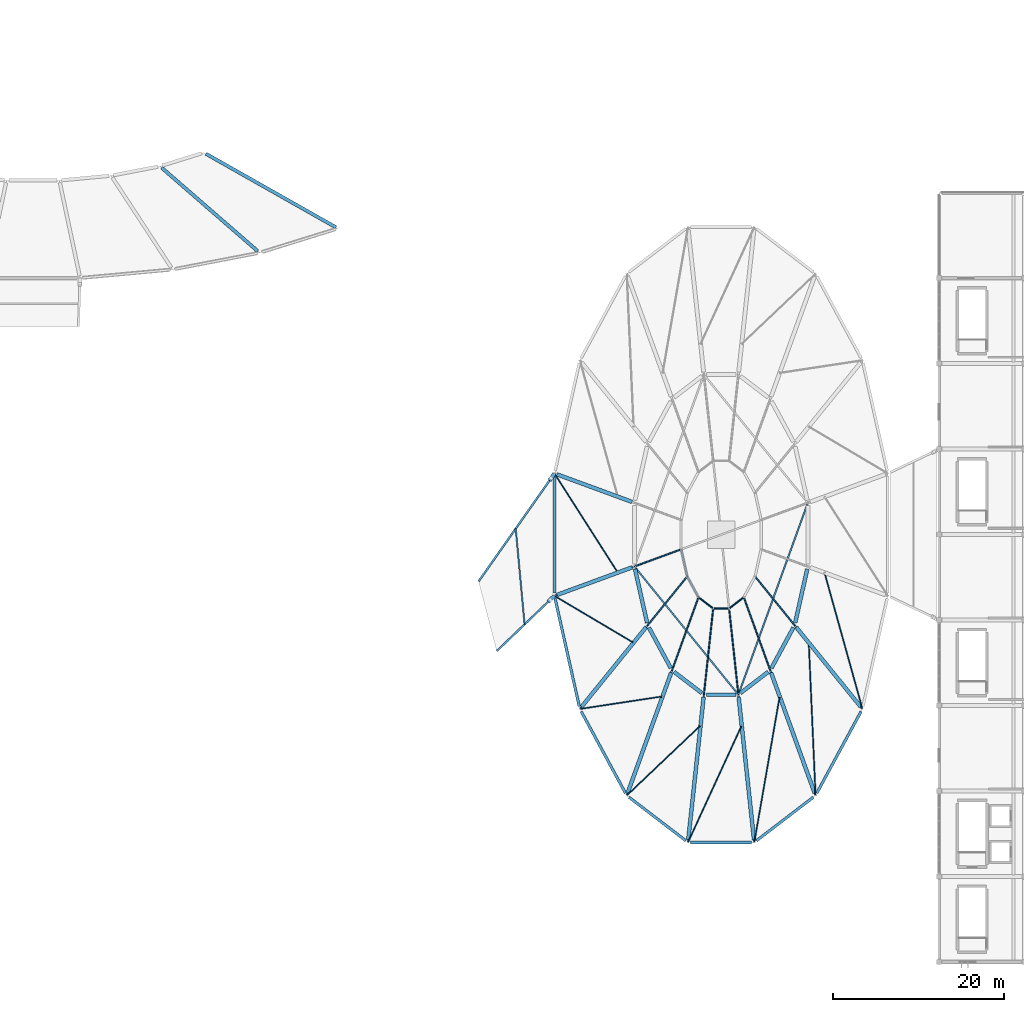
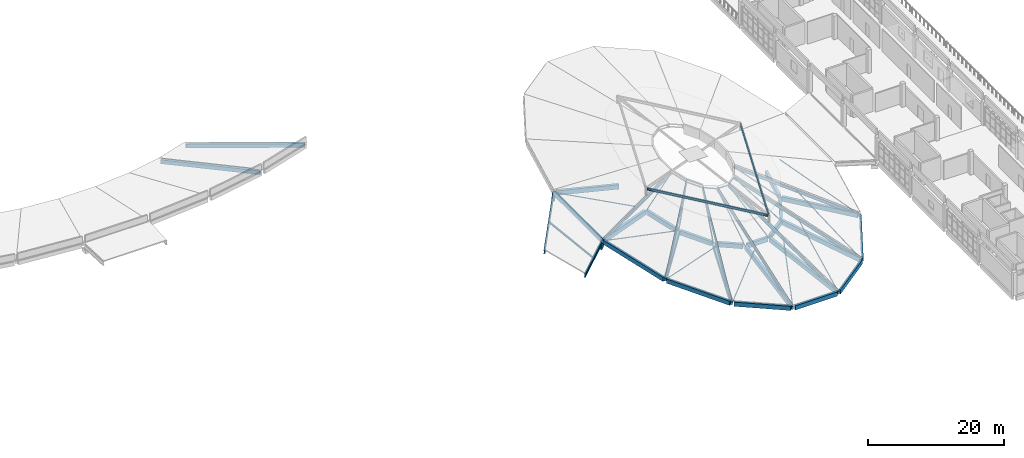
# One storey, part 6 of 39: 31 beams, 27 members.
"""IFC4 building model written with IfcOpenShell, lengths in metres."""

import ifcopenshell
import ifcopenshell.guid

model = None  # the IFC model being written
_history = None  # IfcOwnerHistory: only IFC2X3 demands one
_inside = {}  # id of a spatial element -> (the spatial element, [elements in it])
_under = {}  # id of a project, library or spatial element -> (it, [spatial elements below it])
_declared = {}  # id of a project -> (the project, [libraries it declares])
_typed = {}  # id of a type object -> (the type object, [elements of that type])
_made_of = {}  # id of a material, layer set ... -> (it, [elements and type objects made of it])


def new_model(schema):
    """Start an empty IFC model of exactly this schema.

    Asked for "IFC4X3", IfcOpenShell would pick the latest addendum, in which some entities
    have other attributes; the version numbers below select the first issue.
    IFC2X3 requires an IfcOwnerHistory on every rooted entity: one is made here for all.
    """
    global model, _history
    if schema == "IFC4X3":
        model = ifcopenshell.file(schema_version=(4, 3, 0, 0))
    else:
        model = ifcopenshell.file(schema=schema)
    _inside.clear()
    _under.clear()
    _declared.clear()
    _typed.clear()
    _made_of.clear()
    _history = None
    if model.schema == "IFC2X3":
        org = make("IfcOrganization", Name="unknown")
        user = make(
            "IfcPersonAndOrganization",
            ThePerson=make("IfcPerson", FamilyName="unknown"),
            TheOrganization=org,
        )
        app = make(
            "IfcApplication",
            ApplicationDeveloper=org,
            Version="unknown",
            ApplicationFullName="unknown",
            ApplicationIdentifier="unknown",
        )
        _history = make(
            "IfcOwnerHistory",
            OwningUser=user,
            OwningApplication=app,
            ChangeAction="ADDED",
            CreationDate=0,
        )
    return model


def make(cls, **values):
    """One entity of the class cls with the attributes given. An attribute that is None is left unset."""
    return model.create_entity(
        cls, **{name: value for name, value in values.items() if value is not None}
    )


def rooted(cls, **values):
    """An entity with a GlobalId (a new one), such as an element, a storey or a relation."""
    return make(cls, GlobalId=ifcopenshell.guid.new(), OwnerHistory=_history, **values)


def si_unit(unit_type, name, prefix=None):
    """IfcSIUnit, for example si_unit("LENGTHUNIT", "METRE", prefix="MILLI")."""
    return make("IfcSIUnit", UnitType=unit_type, Prefix=prefix, Name=name)


def assignment(units):
    """IfcUnitAssignment: the units of a project."""
    return None if units is None else make("IfcUnitAssignment", Units=units)


def point(xyz):
    """IfcCartesianPoint."""
    return None if xyz is None else make("IfcCartesianPoint", Coordinates=xyz)


def direction(xyz):
    """IfcDirection."""
    return None if xyz is None else make("IfcDirection", DirectionRatios=xyz)


def frame(location, z_axis=None, x_axis=None):
    """IfcAxis2Placement3D, a coordinate frame: its origin and axes. An axis left out is left unset."""
    return make(
        "IfcAxis2Placement3D",
        Location=point(location),
        Axis=direction(z_axis),
        RefDirection=direction(x_axis),
    )


def frame_2d(location, x_axis=None):
    """IfcAxis2Placement2D, a coordinate frame in the plane: its origin and x axis."""
    return make(
        "IfcAxis2Placement2D", Location=point(location), RefDirection=direction(x_axis)
    )


def origin():
    """The frame at (0, 0, 0) with its axes left unset."""
    return frame((0.0, 0.0, 0.0))


def origin_2d():
    """The frame at (0, 0) in the plane with its x axis left unset."""
    return frame_2d((0.0, 0.0))


def place(relative_to, where):
    """IfcLocalPlacement: puts the frame where relative to a parent placement (None: the world)."""
    return make(
        "IfcLocalPlacement", PlacementRelTo=relative_to, RelativePlacement=where
    )


def context(
    kind, dimensions, precision=None, world=None, true_north=None, identifier=None
):
    """IfcGeometricRepresentationContext, for example the 3D "Model" context."""
    return make(
        "IfcGeometricRepresentationContext",
        ContextIdentifier=identifier,
        ContextType=kind,
        CoordinateSpaceDimension=dimensions,
        Precision=precision,
        WorldCoordinateSystem=world,
        TrueNorth=true_north,
    )


def subcontext(parent, identifier, kind, view, scale=None):
    """IfcGeometricRepresentationSubContext, for example "Body" below "Model"."""
    return make(
        "IfcGeometricRepresentationSubContext",
        ContextIdentifier=identifier,
        ContextType=kind,
        ParentContext=parent,
        TargetScale=scale,
        TargetView=view,
    )


def project(units=None, contexts=None):
    """IfcProject with its units and contexts."""
    return rooted(
        "IfcProject",
        Name="project",
        RepresentationContexts=contexts,
        UnitsInContext=assignment(units),
    )


def spatial(cls, under=None, at=None, **own):
    """A site, building, storey or space (cls), placed at a placement, below another one or the project."""
    s = rooted(cls, ObjectPlacement=at, **own)
    if under is not None:
        _under.setdefault(under.id(), (under, []))[1].append(s)
    return s


def profile(cls, at=None, kind="AREA", **sizes):
    """A parametric profile (cls). Its sizes go by their IFC names, for example OverallWidth=200.0."""
    return make(cls, ProfileType=kind, Position=at, **sizes)


def rectangle(**sizes):
    """IfcRectangleProfileDef."""
    return profile("IfcRectangleProfileDef", **sizes)


def hollow_rectangle(**sizes):
    """IfcRectangleHollowProfileDef."""
    return profile("IfcRectangleHollowProfileDef", **sizes)


def hollow_circle(**sizes):
    """IfcCircleHollowProfileDef."""
    return profile("IfcCircleHollowProfileDef", **sizes)


def i_section(**sizes):
    """IfcIShapeProfileDef."""
    return profile("IfcIShapeProfileDef", **sizes)


def extrude(swept, where, along, depth):
    """IfcExtrudedAreaSolid: the profile swept, set in the frame where, extruded along a direction by depth."""
    return make(
        "IfcExtrudedAreaSolid",
        SweptArea=swept,
        Position=where,
        ExtrudedDirection=direction(along),
        Depth=depth,
    )


def shape(context_of_items, identifier, shape_type, items):
    """IfcShapeRepresentation: the items that make up one representation, for example the "Body"."""
    return make(
        "IfcShapeRepresentation",
        ContextOfItems=context_of_items,
        RepresentationIdentifier=identifier,
        RepresentationType=shape_type,
        Items=items,
    )


def material(Name=None, Category=None):
    """IfcMaterial."""
    return make("IfcMaterial", Name=Name, Category=Category)


def material_profile(
    of_material, cross_section, Name=None, Category=None, Priority=None
):
    """IfcMaterialProfile: a cross section and its material."""
    return make(
        "IfcMaterialProfile",
        Name=Name,
        Material=of_material,
        Profile=cross_section,
        Priority=Priority,
        Category=Category,
    )


def profile_set(profiles, Name=None, composite=None):
    """IfcMaterialProfileSet."""
    return make(
        "IfcMaterialProfileSet",
        Name=Name,
        MaterialProfiles=profiles,
        CompositeProfile=composite,
    )


def made_of(thing, what):
    """Note that an element or type object is made of a material, layer set ...; save() writes the relation."""
    if what is not None:
        _made_of.setdefault(what.id(), (what, []))[1].append(thing)
    return thing


def type_object(cls, material=None, **own):
    """A type object (cls), such as IfcWallType, which elements share."""
    return made_of(rooted(cls, **own), material)


def element(
    cls,
    number,
    at=None,
    inside=None,
    cuts=None,
    type_object=None,
    material=None,
    context=None,
    identifier="Body",
    shape_type=None,
    held_by="IfcProductDefinitionShape",
    body=None,
    shapes=None,
    **own,
):
    """One element of the class cls, such as IfcWall. Its Tag is "e" and its number.

    at: its placement. inside: the storey or other place that contains it. cuts: it is an
    opening in that element (IfcRelVoidsElement). A single representation is given by context,
    identifier, shape_type and body (its items); several are given by shapes. held_by: the class
    of the entity that holds the representations. save() writes the other relations.
    """
    e = rooted(cls, Tag="e%d" % number, ObjectPlacement=at, **own)
    if body is not None:
        shapes = [shape(context, identifier, shape_type, body)]
    if shapes is not None:
        e.Representation = make(held_by, Representations=shapes)
    if inside is not None:
        _inside.setdefault(inside.id(), (inside, []))[1].append(e)
    if cuts is not None:
        rooted(
            "IfcRelVoidsElement", RelatingBuildingElement=cuts, RelatedOpeningElement=e
        )
    if type_object is not None:
        _typed.setdefault(type_object.id(), (type_object, []))[1].append(e)
    return made_of(e, material)


def aggregate(whole, parts):
    """IfcRelAggregates: a whole, such as a stair, and the parts it consists of."""
    return rooted("IfcRelAggregates", RelatingObject=whole, RelatedObjects=parts)


def save(model, path):
    """Write the relations noted so far, then the file.

    IfcRelAggregates (storeys below a building ...), IfcRelContainedInSpatialStructure (elements
    in a storey), IfcRelDefinesByType, IfcRelAssociatesMaterial and IfcRelDeclares: one each for
    every whole, place, type object, material and project.
    """
    for whole, parts in _under.values():
        aggregate(whole, parts)
    for where, things in _inside.values():
        rooted(
            "IfcRelContainedInSpatialStructure",
            RelatedElements=things,
            RelatingStructure=where,
        )
    for kind, things in _typed.values():
        rooted("IfcRelDefinesByType", RelatedObjects=things, RelatingType=kind)
    for what, things in _made_of.values():
        rooted("IfcRelAssociatesMaterial", RelatedObjects=things, RelatingMaterial=what)
    for by, libraries in _declared.values():
        rooted("IfcRelDeclares", RelatingContext=by, RelatedDefinitions=libraries)
    model.write(path)


model = new_model("IFC4")

# Units and contexts
model_context = context("Model", 3, precision=1e-05, world=origin(), true_north=direction((0.0, 1.0)))
body_context = subcontext(model_context, "Body", "Model", "MODEL_VIEW")
ifc_project = project(units=[si_unit("LENGTHUNIT", "METRE"), si_unit("AREAUNIT", "SQUARE_METRE"), si_unit("VOLUMEUNIT", "CUBIC_METRE"), si_unit("PLANEANGLEUNIT", "RADIAN"), si_unit("MASSUNIT", "GRAM", prefix="KILO")], contexts=[model_context])

# Site, building, storey
site_placement = place(None, origin())
site = spatial("IfcSite", under=ifc_project, at=site_placement, CompositionType="ELEMENT")
building_placement = place(site_placement, origin())
building = spatial("IfcBuilding", under=site, at=building_placement, Name="Corvandel Quay Wholesale Market", CompositionType="ELEMENT")
storey_placement = place(building_placement, frame((0.0, 0.0, 15.0)))
storey = spatial("IfcBuildingStorey", under=building, at=storey_placement, Name="L03", CompositionType="ELEMENT", Elevation=15.0)

# Members
ifc_material_1 = material(Name="Steel A992 Grade 50", Category="steel")
ifc_material_profile_1 = material_profile(ifc_material_1, i_section(OverallWidth=0.2099609375, OverallDepth=0.537109375, WebThickness=0.010986328125, FlangeThickness=0.017333984375, at=origin_2d()), Name="W21X68")
ifc_profile_set_1 = profile_set([ifc_material_profile_1], Name="Steel A992 Grade 50")
member_type_1 = type_object("IfcMemberType", Name="Auction Lantern Primary Rafter RF01 W21X68", PredefinedType="RAFTER", material=ifc_profile_set_1)
member_1_placement = place(storey_placement, frame((175.0, 52.839111328125, -0.56005859375), z_axis=(0.913434531927, 0.335411029383, 0.230514201845), x_axis=(-0.344693996876, 0.938715105086, 0.0)))
element("IfcMember", 1, at=member_1_placement, inside=storey, type_object=member_type_1, Name="Member MEM-0078", PredefinedType="RAFTER", context=body_context, shape_type="SweptSolid", body=[
    extrude(i_section(OverallWidth=0.2099609375, OverallDepth=0.537109375, WebThickness=0.010986328125, FlangeThickness=0.017333984375, at=origin_2d()), origin(), (0.0, 0.0, 1.0), 16.224609375),
])
member_2_placement = place(storey_placement, frame((177.968994140625, 39.60791015625, -0.56005859375), z_axis=(0.618929758532, 0.763528723844, 0.184254828616), x_axis=(-0.776829200106, 0.629711357578, 0.0)))
element("IfcMember", 2, at=member_2_placement, inside=storey, type_object=member_type_1, Name="Member MEM-0082", PredefinedType="RAFTER", context=body_context, shape_type="SweptSolid", body=[
    extrude(i_section(OverallWidth=0.2099609375, OverallDepth=0.537109375, WebThickness=0.010986328125, FlangeThickness=0.017333984375, at=origin_2d()), origin(), (0.0, 0.0, 1.0), 20.2978515625),
])
member_3_placement = place(storey_placement, frame((183.4541015625, 29.48095703125, -0.56005859375), z_axis=(0.336493385237, 0.929677225546, 0.149908165196), x_axis=(-0.940302716618, 0.340339244167, 0.0)))
element("IfcMember", 3, at=member_3_placement, inside=storey, type_object=member_type_1, Name="Member MEM-0086", PredefinedType="RAFTER", context=body_context, shape_type="SweptSolid", body=[
    extrude(i_section(OverallWidth=0.2099609375, OverallDepth=0.537109375, WebThickness=0.010986328125, FlangeThickness=0.017333984375, at=origin_2d()), origin(), (0.0, 0.0, 1.0), 24.948486328125),
])
for number, where, z_axis, x_axis, name in (
    (4, (190.62109375, 24.0, -0.56005859375), (0.106152093076, 0.985188125442, 0.134670303422), (-0.994245239382, 0.107127979383, 0.0), "Member MEM-0090"),
    (5, (198.37890625, 24.0, -0.56005859375), (-0.106152093076, 0.985188125442, 0.134670303422), (-0.994245239382, -0.107127979383, 0.0), "Member MEM-0094"),
):
    element("IfcMember", number, at=place(storey_placement, frame(where, z_axis=z_axis, x_axis=x_axis)), inside=storey, type_object=member_type_1, Name=name, PredefinedType="RAFTER", context=body_context, shape_type="SweptSolid", body=[
        extrude(i_section(OverallWidth=0.2099609375, OverallDepth=0.537109375, WebThickness=0.010986328125, FlangeThickness=0.017333984375, at=origin_2d()), origin(), (0.0, 0.0, 1.0), 27.771484375),
    ])
member_4_placement = place(storey_placement, frame((205.5458984375, 29.48095703125, -0.56005859375), z_axis=(-0.336493385237, 0.929677225546, 0.149908165196), x_axis=(-0.940302716618, -0.340339244167, 0.0)))
element("IfcMember", 6, at=member_4_placement, inside=storey, type_object=member_type_1, Name="Member MEM-0098", PredefinedType="RAFTER", context=body_context, shape_type="SweptSolid", body=[
    extrude(i_section(OverallWidth=0.2099609375, OverallDepth=0.537109375, WebThickness=0.010986328125, FlangeThickness=0.017333984375, at=origin_2d()), origin(), (0.0, 0.0, 1.0), 24.948486328125),
])
member_5_placement = place(storey_placement, frame((211.031005859375, 39.60791015625, -0.56005859375), z_axis=(-0.618929758532, 0.763528723844, 0.184254828616), x_axis=(-0.776829200106, -0.629711357578, 0.0)))
element("IfcMember", 7, at=member_5_placement, inside=storey, type_object=member_type_1, Name="Member MEM-0102", PredefinedType="RAFTER", context=body_context, shape_type="SweptSolid", body=[
    extrude(i_section(OverallWidth=0.2099609375, OverallDepth=0.537109375, WebThickness=0.010986328125, FlangeThickness=0.017333984375, at=origin_2d()), origin(), (0.0, 0.0, 1.0), 20.2978515625),
])

# Beams
ifc_material_2 = material(Name="Precast concrete C45/55", Category="concrete")
ifc_material_profile_2 = material_profile(ifc_material_2, rectangle(XDim=0.449951171875, YDim=0.800048828125, at=origin_2d()), Name="PC-GIR-450x800")
ifc_profile_set_2 = profile_set([ifc_material_profile_2], Name="Precast concrete C45/55")
beam_type_1 = type_object("IfcBeamType", Name="Auction Pavilion Girder G05 450x800", PredefinedType="USERDEFINED", material=ifc_profile_set_2)
beam_1_placement = place(storey_placement, frame((175.30029296875, 67.05078125, -0.60009765625), z_axis=(0.938711465008, -0.344703909845, 0.0), x_axis=(0.344703909845, 0.938711465008, 0.0)))
element("IfcBeam", 8, at=beam_1_placement, inside=storey, type_object=beam_type_1, Name="Beam BM-0850", ObjectType="GIRDER", PredefinedType="USERDEFINED", context=body_context, shape_type="SweptSolid", body=[
    extrude(rectangle(XDim=0.449951171875, YDim=0.800048828125, at=origin_2d()), origin(), (0.0, 0.0, 1.0), 9.356201171875),
])
beam_2_placement = place(storey_placement, frame((184.424560546875, 55.98828125, -0.60009765625), z_axis=(0.21896639663, -0.975732400378, 0.0), x_axis=(0.975732400378, 0.21896639663, 0.0)))
element("IfcBeam", 9, at=beam_2_placement, inside=storey, type_object=beam_type_1, Name="Beam BM-0860", ObjectType="GIRDER", PredefinedType="USERDEFINED", context=body_context, shape_type="SweptSolid", body=[
    extrude(rectangle(XDim=0.449951171875, YDim=0.800048828125, at=origin_2d()), origin(), (0.0, 0.0, 1.0), 6.461181640625),
])
beam_3_placement = place(storey_placement, frame((175.30029296875, 52.94921875, -0.60009765625), z_axis=(0.938711465008, 0.344703909845, 0.0), x_axis=(-0.344703909845, 0.938711465008, 0.0)))
element("IfcBeam", 10, at=beam_3_placement, inside=storey, type_object=beam_type_1, Name="Beam BM-0861", ObjectType="GIRDER", PredefinedType="USERDEFINED", context=body_context, shape_type="SweptSolid", body=[
    extrude(rectangle(XDim=0.449951171875, YDim=0.800048828125, at=origin_2d()), origin(), (0.0, 0.0, 1.0), 9.356201171875),
])
beam_4_placement = place(storey_placement, frame((186.04443359375, 49.13671875, -0.60009765625), z_axis=(0.476223419168, -0.879324317323, 0.0), x_axis=(0.879324317323, 0.476223419168, 0.0)))
element("IfcBeam", 11, at=beam_4_placement, inside=storey, type_object=beam_type_1, Name="Beam BM-0871", ObjectType="GIRDER", PredefinedType="USERDEFINED", context=body_context, shape_type="SweptSolid", body=[
    extrude(rectangle(XDim=0.449951171875, YDim=0.800048828125, at=origin_2d()), origin(), (0.0, 0.0, 1.0), 5.39892578125),
])
beam_5_placement = place(storey_placement, frame((178.17041015625, 39.856689453125, -0.60009765625), z_axis=(0.629759439893, 0.776790221273, 0.0), x_axis=(-0.776790221273, 0.629759439893, 0.0)))
element("IfcBeam", 12, at=beam_5_placement, inside=storey, type_object=beam_type_1, Name="Beam BM-0872", ObjectType="GIRDER", PredefinedType="USERDEFINED", context=body_context, shape_type="SweptSolid", body=[
    extrude(rectangle(XDim=0.449951171875, YDim=0.800048828125, at=origin_2d()), origin(), (0.0, 0.0, 1.0), 11.9853515625),
])
beam_6_placement = place(storey_placement, frame((188.990234375, 43.95068359375, -0.60009765625), z_axis=(0.794401755495, -0.607392666129, 0.0), x_axis=(0.607392666129, 0.794401755495, 0.0)))
element("IfcBeam", 13, at=beam_6_placement, inside=storey, type_object=beam_type_1, Name="Beam BM-0882", ObjectType="GIRDER", PredefinedType="USERDEFINED", context=body_context, shape_type="SweptSolid", body=[
    extrude(rectangle(XDim=0.449951171875, YDim=0.800048828125, at=origin_2d()), origin(), (0.0, 0.0, 1.0), 4.101806640625),
])
beam_7_placement = place(storey_placement, frame((183.56298828125, 29.781982421875, -0.60009765625), z_axis=(0.340323944188, 0.940308254251, 0.0), x_axis=(-0.940308254251, 0.340323944188, 0.0)))
element("IfcBeam", 14, at=beam_7_placement, inside=storey, type_object=beam_type_1, Name="Beam BM-0883", ObjectType="GIRDER", PredefinedType="USERDEFINED", context=body_context, shape_type="SweptSolid", body=[
    extrude(rectangle(XDim=0.449951171875, YDim=0.800048828125, at=origin_2d()), origin(), (0.0, 0.0, 1.0), 14.9638671875),
])
beam_8_placement = place(storey_placement, frame((192.778076171875, 41.280029296875, -0.60009765625), z_axis=(1.0, 0.0, 0.0), x_axis=(0.0, 1.0, 0.0)))
element("IfcBeam", 15, at=beam_8_placement, inside=storey, type_object=beam_type_1, Name="Beam BM-0891", ObjectType="GIRDER", PredefinedType="USERDEFINED", context=body_context, shape_type="SweptSolid", body=[
    extrude(rectangle(XDim=0.449951171875, YDim=0.800048828125, at=origin_2d()), origin(), (0.0, 0.0, 1.0), 3.44384765625),
])
beam_9_placement = place(storey_placement, frame((190.6552734375, 24.318115234375, -0.60009765625), z_axis=(0.107135210455, 0.994244460221, 0.0), x_axis=(-0.994244460221, 0.107135210455, 0.0)))
element("IfcBeam", 16, at=beam_9_placement, inside=storey, type_object=beam_type_1, Name="Beam BM-0892", ObjectType="GIRDER", PredefinedType="USERDEFINED", context=body_context, shape_type="SweptSolid", body=[
    extrude(rectangle(XDim=0.449951171875, YDim=0.800048828125, at=origin_2d()), origin(), (0.0, 0.0, 1.0), 16.76513671875),
])
beam_10_placement = place(storey_placement, frame((196.751220703125, 41.459228515625, -0.60009765625), z_axis=(0.794401755495, 0.607392666129, 0.0), x_axis=(-0.607392666129, 0.794401755495, 0.0)))
element("IfcBeam", 17, at=beam_10_placement, inside=storey, type_object=beam_type_1, Name="Beam BM-0902", ObjectType="GIRDER", PredefinedType="USERDEFINED", context=body_context, shape_type="SweptSolid", body=[
    extrude(rectangle(XDim=0.449951171875, YDim=0.800048828125, at=origin_2d()), origin(), (0.0, 0.0, 1.0), 4.101806640625),
])
beam_11_placement = place(storey_placement, frame((198.3447265625, 24.318115234375, -0.60009765625), z_axis=(-0.107135210455, 0.994244460221, 0.0), x_axis=(-0.994244460221, -0.107135210455, 0.0)))
element("IfcBeam", 18, at=beam_11_placement, inside=storey, type_object=beam_type_1, Name="Beam BM-0903", ObjectType="GIRDER", PredefinedType="USERDEFINED", context=body_context, shape_type="SweptSolid", body=[
    extrude(rectangle(XDim=0.449951171875, YDim=0.800048828125, at=origin_2d()), origin(), (0.0, 0.0, 1.0), 16.76513671875),
])
beam_12_placement = place(storey_placement, frame((200.384521484375, 44.389404296875, -0.60009765625), z_axis=(0.476223419168, 0.879324317323, 0.0), x_axis=(-0.879324317323, 0.476223419168, 0.0)))
element("IfcBeam", 19, at=beam_12_placement, inside=storey, type_object=beam_type_1, Name="Beam BM-0913", ObjectType="GIRDER", PredefinedType="USERDEFINED", context=body_context, shape_type="SweptSolid", body=[
    extrude(rectangle(XDim=0.449951171875, YDim=0.800048828125, at=origin_2d()), origin(), (0.0, 0.0, 1.0), 5.39892578125),
])
beam_13_placement = place(storey_placement, frame((205.43701171875, 29.781982421875, -0.60009765625), z_axis=(-0.340323944188, 0.940308254251, 0.0), x_axis=(-0.940308254251, -0.340323944188, 0.0)))
element("IfcBeam", 20, at=beam_13_placement, inside=storey, type_object=beam_type_1, Name="Beam BM-0914", ObjectType="GIRDER", PredefinedType="USERDEFINED", context=body_context, shape_type="SweptSolid", body=[
    extrude(rectangle(XDim=0.449951171875, YDim=0.800048828125, at=origin_2d()), origin(), (0.0, 0.0, 1.0), 14.9638671875),
])
beam_14_placement = place(storey_placement, frame((203.16064453125, 49.683837890625, -0.60009765625), z_axis=(0.21896639663, 0.975732400378, 0.0), x_axis=(-0.975732400378, 0.21896639663, 0.0)))
element("IfcBeam", 21, at=beam_14_placement, inside=storey, type_object=beam_type_1, Name="Beam BM-0924", ObjectType="GIRDER", PredefinedType="USERDEFINED", context=body_context, shape_type="SweptSolid", body=[
    extrude(rectangle(XDim=0.449951171875, YDim=0.800048828125, at=origin_2d()), origin(), (0.0, 0.0, 1.0), 6.461181640625),
])
beam_15_placement = place(storey_placement, frame((210.82958984375, 39.856689453125, -0.60009765625), z_axis=(-0.629759439893, 0.776790221273, 0.0), x_axis=(-0.776790221273, -0.629759439893, 0.0)))
element("IfcBeam", 22, at=beam_15_placement, inside=storey, type_object=beam_type_1, Name="Beam BM-0925", ObjectType="GIRDER", PredefinedType="USERDEFINED", context=body_context, shape_type="SweptSolid", body=[
    extrude(rectangle(XDim=0.449951171875, YDim=0.800048828125, at=origin_2d()), origin(), (0.0, 0.0, 1.0), 11.9853515625),
])
ifc_material_profile_3 = material_profile(ifc_material_1, i_section(OverallWidth=0.1669921875, OverallDepth=0.318115234375, WebThickness=0.007568359375, FlangeThickness=0.01318359375, at=origin_2d()), Name="W12X35")
ifc_profile_set_3 = profile_set([ifc_material_profile_3], Name="Steel A992 Grade 50")
beam_type_2 = type_object("IfcBeamType", Name="Bridge Floor Steel Beam SB02 W12X35", PredefinedType="BEAM", material=ifc_profile_set_3)
beam_16_placement = place(storey_placement, frame((171.508056640625, 49.506591796875, -0.360107421875), z_axis=(-0.092228499923, 0.995737869021, 0.0), x_axis=(-0.995737869021, -0.092228499923, 0.0)))
element("IfcBeam", 23, at=beam_16_placement, inside=storey, type_object=beam_type_2, Name="Beam BM-1805", PredefinedType="BEAM", context=body_context, shape_type="SweptSolid", body=[
    extrude(i_section(OverallWidth=0.1669921875, OverallDepth=0.318115234375, WebThickness=0.007568359375, FlangeThickness=0.01318359375, at=origin_2d()), origin(), (0.0, 0.0, 1.0), 11.24755859375),
])
ifc_material_profile_4 = material_profile(ifc_material_1, i_section(OverallWidth=0.22900390625, OverallDepth=0.612060546875, WebThickness=0.011962890625, FlangeThickness=0.01953125, at=origin_2d()), Name="W24X84")
ifc_profile_set_4 = profile_set([ifc_material_profile_4], Name="Steel A992 Grade 50")
beam_type_3 = type_object("IfcBeamType", Name="Bridge Link Steel Girder SG02 W24X84", PredefinedType="USERDEFINED", material=ifc_profile_set_4)
beam_17_placement = place(storey_placement, frame((168.24560546875, 46.3720703125, -0.506103515625), z_axis=(0.72231317905, 0.691566100507, 0.0), x_axis=(-0.691566100507, 0.72231317905, 0.0)))
element("IfcBeam", 24, at=beam_17_placement, inside=storey, type_object=beam_type_3, Name="Beam BM-1802", ObjectType="GIRDER", PredefinedType="USERDEFINED", context=body_context, shape_type="SweptSolid", body=[
    extrude(i_section(OverallWidth=0.22900390625, OverallDepth=0.612060546875, WebThickness=0.011962890625, FlangeThickness=0.01953125, at=origin_2d()), origin(), (0.0, 0.0, 1.0), 9.0361328125),
])
beam_18_placement = place(storey_placement, frame((166.12060546875, 54.529296875, -0.506103515625), z_axis=(0.575077511618, 0.818098927778, 0.0), x_axis=(-0.818098927778, 0.575077511618, 0.0)))
element("IfcBeam", 25, at=beam_18_placement, inside=storey, type_object=beam_type_3, Name="Beam BM-1804", ObjectType="GIRDER", PredefinedType="USERDEFINED", context=body_context, shape_type="SweptSolid", body=[
    extrude(i_section(OverallWidth=0.22900390625, OverallDepth=0.612060546875, WebThickness=0.011962890625, FlangeThickness=0.01953125, at=origin_2d()), origin(), (0.0, 0.0, 1.0), 15.125244140625),
])
ifc_material_profile_5 = material_profile(ifc_material_1, i_section(OverallWidth=0.177978515625, OverallDepth=0.406005859375, WebThickness=0.0078125, FlangeThickness=0.0126953125, at=origin_2d()), Name="W16X40")
ifc_profile_set_5 = profile_set([ifc_material_profile_5], Name="Steel A992 Grade 50")
beam_type_4 = type_object("IfcBeamType", Name="Canopy Steel Edge Beam SB01 W16X40", PredefinedType="BEAM", material=ifc_profile_set_5)
beam_19_placement = place(storey_placement, frame((184.436767578125, 56.18115234375, 3.447021484375), z_axis=(0.629745980697, -0.776801132721, 0.0), x_axis=(0.776801132721, 0.629745980697, 0.0)))
element("IfcBeam", 26, at=beam_19_placement, inside=storey, type_object=beam_type_4, Name="Beam BM-0939", PredefinedType="BEAM", context=body_context, shape_type="SweptSolid", body=[
    extrude(i_section(OverallWidth=0.177978515625, OverallDepth=0.406005859375, WebThickness=0.0078125, FlangeThickness=0.0126953125, at=origin_2d()), origin(), (0.0, 0.0, 1.0), 19.060791015625),
])
beam_20_placement = place(storey_placement, frame((196.55859375, 41.394775390625, 3.447021484375), z_axis=(0.340313013365, 0.940312210351, 0.0), x_axis=(-0.940312210351, 0.340313013365, 0.0)))
element("IfcBeam", 27, at=beam_20_placement, inside=storey, type_object=beam_type_4, Name="Beam BM-0940", PredefinedType="BEAM", context=body_context, shape_type="SweptSolid", body=[
    extrude(i_section(OverallWidth=0.177978515625, OverallDepth=0.406005859375, WebThickness=0.0078125, FlangeThickness=0.0126953125, at=origin_2d()), origin(), (0.0, 0.0, 1.0), 23.624755859375),
])

# Members
ifc_material_3 = material(Name="Steel A500 Grade C", Category="steel")
ifc_material_profile_6 = material_profile(ifc_material_3, hollow_circle(Radius=0.109619140625, WallThickness=0.0087890625, at=origin_2d()), Name="HSS8.625X0.375")
ifc_profile_set_6 = profile_set([ifc_material_profile_6], Name="Steel A500 Grade C")
member_type_2 = type_object("IfcMemberType", Name="Lantern Oculus Ring Strut BR05 CHS219", PredefinedType="BRACE", material=ifc_profile_set_6)
member_6_placement = place(storey_placement, frame((189.820068359375, 58.281005859375, 3.179931640625), z_axis=(0.218789056451, -0.975772180776, 0.0), x_axis=(0.975772180776, 0.218789056451, 0.0)))
element("IfcMember", 28, at=member_6_placement, inside=storey, type_object=member_type_2, Name="Member MEM-0080", PredefinedType="BRACE", context=body_context, shape_type="SweptSolid", body=[
    extrude(hollow_circle(Radius=0.109619140625, WallThickness=0.0087890625, at=origin_2d()), origin(), (0.0, 0.0, 1.0), 3.25390625),
])
member_7_placement = place(storey_placement, frame((190.531982421875, 55.10595703125, 3.179931640625), z_axis=(0.476394086366, -0.879231866162, 0.0), x_axis=(0.879231866162, 0.476394086366, 0.0)))
element("IfcMember", 29, at=member_7_placement, inside=storey, type_object=member_type_2, Name="Member MEM-0084", PredefinedType="BRACE", context=body_context, shape_type="SweptSolid", body=[
    extrude(hollow_circle(Radius=0.109619140625, WallThickness=0.0087890625, at=origin_2d()), origin(), (0.0, 0.0, 1.0), 2.764892578125),
])
member_8_placement = place(storey_placement, frame((191.84912109375, 52.675048828125, 3.179931640625), z_axis=(0.794431444656, -0.607353834055, 0.0), x_axis=(0.607353834055, 0.794431444656, 0.0)))
element("IfcMember", 30, at=member_8_placement, inside=storey, type_object=member_type_2, Name="Member MEM-0088", PredefinedType="BRACE", context=body_context, shape_type="SweptSolid", body=[
    extrude(hollow_circle(Radius=0.109619140625, WallThickness=0.0087890625, at=origin_2d()), origin(), (0.0, 0.0, 1.0), 2.1650390625),
])
member_9_placement = place(storey_placement, frame((193.569091796875, 51.360107421875, 3.179931640625), z_axis=(1.0, 0.0, 0.0), x_axis=(0.0, 1.0, 0.0)))
element("IfcMember", 31, at=member_9_placement, inside=storey, type_object=member_type_2, Name="Member MEM-0092", PredefinedType="BRACE", context=body_context, shape_type="SweptSolid", body=[
    extrude(hollow_circle(Radius=0.109619140625, WallThickness=0.0087890625, at=origin_2d()), origin(), (0.0, 0.0, 1.0), 1.86181640625),
])
member_10_placement = place(storey_placement, frame((195.430908203125, 51.360107421875, 3.179931640625), z_axis=(0.794431444656, 0.607353834055, 0.0), x_axis=(-0.607353834055, 0.794431444656, 0.0)))
element("IfcMember", 32, at=member_10_placement, inside=storey, type_object=member_type_2, Name="Member MEM-0096", PredefinedType="BRACE", context=body_context, shape_type="SweptSolid", body=[
    extrude(hollow_circle(Radius=0.109619140625, WallThickness=0.0087890625, at=origin_2d()), origin(), (0.0, 0.0, 1.0), 2.1650390625),
])
ifc_material_profile_7 = material_profile(ifc_material_3, hollow_rectangle(XDim=0.126953125, YDim=0.126953125, WallThickness=0.00732421875, at=origin_2d()), Name="HSS5X5X5/16")
ifc_profile_set_7 = profile_set([ifc_material_profile_7], Name="Steel A500 Grade C")
member_type_3 = type_object("IfcMemberType", Name="Lantern Truss Web Brace BR04 HSS5X5", PredefinedType="BRACE", material=ifc_profile_set_7)
member_11_placement = place(storey_placement, frame((184.360107421875, 56.27587890625, -0.56005859375), z_axis=(0.789565613205, 0.289961651818, 0.540840441276), x_axis=(-0.344730664047, 0.938701640174, 0.0)))
element("IfcMember", 33, at=member_11_placement, inside=storey, type_object=member_type_3, Name="Member MEM-0079", PredefinedType="BRACE", context=body_context, shape_type="SweptSolid", body=[
    extrude(hollow_rectangle(XDim=0.126953125, YDim=0.126953125, WallThickness=0.00732421875, at=origin_2d()), origin(), (0.0, 0.0, 1.0), 6.9150390625),
])
member_12_placement = place(storey_placement, frame((185.904052734375, 49.39599609375, -0.56005859375), z_axis=(0.561182128488, 0.692389091638, 0.453510710398), x_axis=(-0.776873435772, 0.629656783329, 0.0)))
element("IfcMember", 34, at=member_12_placement, inside=storey, type_object=member_type_3, Name="Member MEM-0083", PredefinedType="BRACE", context=body_context, shape_type="SweptSolid", body=[
    extrude(hollow_rectangle(XDim=0.126953125, YDim=0.126953125, WallThickness=0.00732421875, at=origin_2d()), origin(), (0.0, 0.0, 1.0), 8.246826171875),
])
member_13_placement = place(storey_placement, frame((188.756103515625, 44.1298828125, -0.56005859375), z_axis=(0.314740005374, 0.869540999928, 0.380574800088), x_axis=(-0.940298316552, 0.3403514006, 0.0)))
element("IfcMember", 35, at=member_13_placement, inside=storey, type_object=member_type_3, Name="Member MEM-0087", PredefinedType="BRACE", context=body_context, shape_type="SweptSolid", body=[
    extrude(hollow_rectangle(XDim=0.126953125, YDim=0.126953125, WallThickness=0.00732421875, at=origin_2d()), origin(), (0.0, 0.0, 1.0), 9.8271484375),
])
for number, where, z_axis, x_axis, name in (
    (36, (192.48291015625, 41.280029296875, -0.56005859375), (0.100514097109, 0.932799739587, 0.346094729964), (-0.994244473032, 0.107135091565, 0.0), "Member MEM-0091"),
    (37, (196.51708984375, 41.280029296875, -0.56005859375), (-0.100514097109, 0.932799739587, 0.346094729964), (-0.994244473032, -0.107135091565, 0.0), "Member MEM-0095"),
):
    element("IfcMember", number, at=place(storey_placement, frame(where, z_axis=z_axis, x_axis=x_axis)), inside=storey, type_object=member_type_3, Name=name, PredefinedType="BRACE", context=body_context, shape_type="SweptSolid", body=[
        extrude(hollow_rectangle(XDim=0.126953125, YDim=0.126953125, WallThickness=0.00732421875, at=origin_2d()), origin(), (0.0, 0.0, 1.0), 10.80615234375),
    ])
member_14_placement = place(storey_placement, frame((200.243896484375, 44.1298828125, -0.56005859375), z_axis=(-0.314740005374, 0.869540999928, 0.380574800088), x_axis=(-0.940298316552, -0.3403514006, 0.0)))
element("IfcMember", 38, at=member_14_placement, inside=storey, type_object=member_type_3, Name="Member MEM-0099", PredefinedType="BRACE", context=body_context, shape_type="SweptSolid", body=[
    extrude(hollow_rectangle(XDim=0.126953125, YDim=0.126953125, WallThickness=0.00732421875, at=origin_2d()), origin(), (0.0, 0.0, 1.0), 9.8271484375),
])
member_15_placement = place(storey_placement, frame((203.095947265625, 49.39599609375, -0.56005859375), z_axis=(-0.561182128488, 0.692389091638, 0.453510710398), x_axis=(-0.776873435772, -0.629656783329, 0.0)))
element("IfcMember", 39, at=member_15_placement, inside=storey, type_object=member_type_3, Name="Member MEM-0103", PredefinedType="BRACE", context=body_context, shape_type="SweptSolid", body=[
    extrude(hollow_rectangle(XDim=0.126953125, YDim=0.126953125, WallThickness=0.00732421875, at=origin_2d()), origin(), (0.0, 0.0, 1.0), 8.246826171875),
])

# Beams
ifc_material_profile_8 = material_profile(ifc_material_2, rectangle(XDim=0.320068359375, YDim=0.75, at=origin_2d()), Name="PC-SPN-320x750")
ifc_profile_set_8 = profile_set([ifc_material_profile_8], Name="Precast concrete C45/55")
beam_type_5 = type_object("IfcBeamType", Name="Pavilion Precast Spandrel SP02 320x750", PredefinedType="SPANDREL", material=ifc_profile_set_8)
beam_21_placement = place(storey_placement, frame((175.0, 66.841064453125, -0.574951171875), z_axis=(0.0, -1.0, 0.0), x_axis=(1.0, 0.0, 0.0)))
element("IfcBeam", 40, at=beam_21_placement, inside=storey, type_object=beam_type_5, Name="Beam BM-0848", PredefinedType="SPANDREL", context=body_context, shape_type="SweptSolid", body=[
    extrude(rectangle(XDim=0.320068359375, YDim=0.75, at=origin_2d()), origin(), (0.0, 0.0, 1.0), 13.68212890625),
])
beam_22_placement = place(storey_placement, frame((175.070068359375, 52.52685546875, -0.574951171875), z_axis=(0.218948761125, -0.975736357835, 0.0), x_axis=(0.975736357835, 0.218948761125, 0.0)))
element("IfcBeam", 41, at=beam_22_placement, inside=storey, type_object=beam_type_5, Name="Beam BM-0859", PredefinedType="SPANDREL", context=body_context, shape_type="SweptSolid", body=[
    extrude(rectangle(XDim=0.320068359375, YDim=0.75, at=origin_2d()), origin(), (0.0, 0.0, 1.0), 12.920166015625),
])
beam_23_placement = place(storey_placement, frame((178.121337890625, 39.32666015625, -0.574951171875), z_axis=(0.476252055729, -0.879308807766, 0.0), x_axis=(0.879308807766, 0.476252055729, 0.0)))
element("IfcBeam", 42, at=beam_23_placement, inside=storey, type_object=beam_type_5, Name="Beam BM-0870", PredefinedType="SPANDREL", context=body_context, shape_type="SweptSolid", body=[
    extrude(rectangle(XDim=0.320068359375, YDim=0.75, at=origin_2d()), origin(), (0.0, 0.0, 1.0), 10.876953125),
])
beam_24_placement = place(storey_placement, frame((183.708251953125, 29.28662109375, -0.574951171875), z_axis=(0.794327244318, -0.607490106038, 0.0), x_axis=(0.607490106038, 0.794327244318, 0.0)))
element("IfcBeam", 43, at=beam_24_placement, inside=storey, type_object=beam_type_5, Name="Beam BM-0881", PredefinedType="SPANDREL", context=body_context, shape_type="SweptSolid", body=[
    extrude(rectangle(XDim=0.320068359375, YDim=0.75, at=origin_2d()), origin(), (0.0, 0.0, 1.0), 8.382568359375),
])
beam_25_placement = place(storey_placement, frame((190.94091796875, 24.0, -0.574951171875), z_axis=(1.0, 0.0, 0.0), x_axis=(0.0, 1.0, 0.0)))
element("IfcBeam", 44, at=beam_25_placement, inside=storey, type_object=beam_type_5, Name="Beam BM-0890", PredefinedType="SPANDREL", context=body_context, shape_type="SweptSolid", body=[
    extrude(rectangle(XDim=0.320068359375, YDim=0.75, at=origin_2d()), origin(), (0.0, 0.0, 1.0), 7.1181640625),
])
beam_26_placement = place(storey_placement, frame((198.63330078125, 24.1943359375, -0.574951171875), z_axis=(0.794327244318, 0.607490106038, 0.0), x_axis=(-0.607490106038, 0.794327244318, 0.0)))
element("IfcBeam", 45, at=beam_26_placement, inside=storey, type_object=beam_type_5, Name="Beam BM-0901", PredefinedType="SPANDREL", context=body_context, shape_type="SweptSolid", body=[
    extrude(rectangle(XDim=0.320068359375, YDim=0.75, at=origin_2d()), origin(), (0.0, 0.0, 1.0), 8.382568359375),
])
beam_27_placement = place(storey_placement, frame((205.698486328125, 29.762451171875, -0.574951171875), z_axis=(0.476252055729, 0.879308807766, 0.0), x_axis=(-0.879308807766, 0.476252055729, 0.0)))
element("IfcBeam", 46, at=beam_27_placement, inside=storey, type_object=beam_type_5, Name="Beam BM-0912", PredefinedType="SPANDREL", context=body_context, shape_type="SweptSolid", body=[
    extrude(rectangle(XDim=0.320068359375, YDim=0.75, at=origin_2d()), origin(), (0.0, 0.0, 1.0), 10.876953125),
])
ifc_material_profile_9 = material_profile(ifc_material_2, rectangle(XDim=0.39990234375, YDim=0.699951171875, at=origin_2d()), Name="PC-GIR-400x700")
ifc_profile_set_9 = profile_set([ifc_material_profile_9], Name="Precast concrete C45/55")
beam_type_6 = type_object("IfcBeamType", Name="Roof Deck Primary Girder G07 400x700", PredefinedType="USERDEFINED", material=ifc_profile_set_9)
beam_28_placement = place(storey_placement, frame((140.30322265625, 93.152587890625, -0.550048828125), z_axis=(-0.754950895284, 0.655781324612, 0.0), x_axis=(-0.655781324612, -0.754950895284, 0.0)))
element("IfcBeam", 47, at=beam_28_placement, inside=storey, type_object=beam_type_6, Name="Beam BM-0724", ObjectType="GIRDER", PredefinedType="USERDEFINED", context=body_context, shape_type="SweptSolid", body=[
    extrude(rectangle(XDim=0.39990234375, YDim=0.699951171875, at=origin_2d()), origin(), (0.0, 0.0, 1.0), 14.894287109375),
])
beam_29_placement = place(storey_placement, frame((149.441162109375, 95.94921875, -0.550048828125), z_axis=(-0.870340883622, 0.492449739868, 0.0), x_axis=(-0.492449739868, -0.870340883622, 0.0)))
element("IfcBeam", 48, at=beam_29_placement, inside=storey, type_object=beam_type_6, Name="Beam BM-0725", ObjectType="GIRDER", PredefinedType="USERDEFINED", context=body_context, shape_type="SweptSolid", body=[
    extrude(rectangle(XDim=0.39990234375, YDim=0.699951171875, at=origin_2d()), origin(), (0.0, 0.0, 1.0), 17.481689453125),
])

# Members
ifc_material_profile_10 = material_profile(ifc_material_3, hollow_circle(Radius=0.083984375, WallThickness=0.00732421875, at=origin_2d()), Name="HSS6.625X0.312")
ifc_profile_set_10 = profile_set([ifc_material_profile_10], Name="Steel A500 Grade C")
member_type_4 = type_object("IfcMemberType", Name="Roof Diaphragm Wind Brace BR06 CHS168", PredefinedType="BRACE", material=ifc_profile_set_10)
member_16_placement = place(storey_placement, frame((175.0, 67.160888671875, -0.56005859375), z_axis=(0.533400092185, -0.83508194723, 0.134619772203), x_axis=(0.84275325269, 0.53830006045, 0.0)))
element("IfcMember", 49, at=member_16_placement, inside=storey, type_object=member_type_4, Name="Member MEM-0077", PredefinedType="BRACE", context=body_context, shape_type="SweptSolid", body=[
    extrude(hollow_circle(Radius=0.083984375, WallThickness=0.00732421875, at=origin_2d()), origin(), (0.0, 0.0, 1.0), 13.891845703125),
])
member_17_placement = place(storey_placement, frame((175.0, 52.839111328125, -0.56005859375), z_axis=(0.84755244861, -0.502290584153, 0.171344728328), x_axis=(0.509830396137, 0.860274936968, 0.0)))
element("IfcMember", 50, at=member_17_placement, inside=storey, type_object=member_type_4, Name="Member MEM-0081", PredefinedType="BRACE", context=body_context, shape_type="SweptSolid", body=[
    extrude(hollow_circle(Radius=0.083984375, WallThickness=0.00732421875, at=origin_2d()), origin(), (0.0, 0.0, 1.0), 10.914306640625),
])
member_18_placement = place(storey_placement, frame((177.968994140625, 39.60791015625, -0.56005859375), z_axis=(0.971124795816, 0.147431729592, 0.187564698335), x_axis=(-0.150095588472, 0.988671489587, 0.0)))
element("IfcMember", 51, at=member_18_placement, inside=storey, type_object=member_type_4, Name="Member MEM-0085", PredefinedType="BRACE", context=body_context, shape_type="SweptSolid", body=[
    extrude(hollow_circle(Radius=0.083984375, WallThickness=0.00732421875, at=origin_2d()), origin(), (0.0, 0.0, 1.0), 9.970458984375),
])
member_19_placement = place(storey_placement, frame((183.4541015625, 29.48095703125, -0.56005859375), z_axis=(0.716634009863, 0.679985306508, 0.155098932432), x_axis=(-0.688314641364, 0.725412265187, 0.0)))
element("IfcMember", 52, at=member_19_placement, inside=storey, type_object=member_type_4, Name="Member MEM-0089", PredefinedType="BRACE", context=body_context, shape_type="SweptSolid", body=[
    extrude(hollow_circle(Radius=0.083984375, WallThickness=0.00732421875, at=origin_2d()), origin(), (0.0, 0.0, 1.0), 12.0576171875),
])
member_20_placement = place(storey_placement, frame((190.62109375, 24.0, -0.56005859375), z_axis=(0.414237247646, 0.901781564838, 0.1232781894), x_axis=(-0.908713090187, 0.417421273684, 0.0)))
element("IfcMember", 53, at=member_20_placement, inside=storey, type_object=member_type_4, Name="Member MEM-0093", PredefinedType="BRACE", context=body_context, shape_type="SweptSolid", body=[
    extrude(hollow_circle(Radius=0.083984375, WallThickness=0.00732421875, at=origin_2d()), origin(), (0.0, 0.0, 1.0), 15.169921875),
])
member_21_placement = place(storey_placement, frame((198.37890625, 24.0, -0.56005859375), z_axis=(0.170320131476, 0.979533299092, 0.107264014396), x_axis=(-0.985217439721, 0.171308483357, 0.0)))
element("IfcMember", 54, at=member_21_placement, inside=storey, type_object=member_type_4, Name="Member MEM-0097", PredefinedType="BRACE", context=body_context, shape_type="SweptSolid", body=[
    extrude(hollow_circle(Radius=0.083984375, WallThickness=0.00732421875, at=origin_2d()), origin(), (0.0, 0.0, 1.0), 17.434814453125),
])
member_22_placement = place(storey_placement, frame((205.5458984375, 29.48095703125, -0.56005859375), z_axis=(-0.044265427386, 0.993597361502, 0.103946405205), x_axis=(-0.999009093727, -0.044506523678, 0.0)))
element("IfcMember", 55, at=member_22_placement, inside=storey, type_object=member_type_4, Name="Member MEM-0101", PredefinedType="BRACE", context=body_context, shape_type="SweptSolid", body=[
    extrude(hollow_circle(Radius=0.083984375, WallThickness=0.00732421875, at=origin_2d()), origin(), (0.0, 0.0, 1.0), 17.9912109375),
])
member_23_placement = place(storey_placement, frame((211.031005859375, 39.60791015625, -0.56005859375), z_axis=(-0.266497125401, 0.957279943579, 0.112224737799), x_axis=(-0.963365668117, -0.268191330013, 0.0)))
element("IfcMember", 56, at=member_23_placement, inside=storey, type_object=member_type_4, Name="Member MEM-0105", PredefinedType="BRACE", context=body_context, shape_type="SweptSolid", body=[
    extrude(hollow_circle(Radius=0.083984375, WallThickness=0.00732421875, at=origin_2d()), origin(), (0.0, 0.0, 1.0), 16.6640625),
])

# Beams
ifc_material_profile_11 = material_profile(ifc_material_2, rectangle(XDim=0.449951171875, YDim=0.64990234375, at=origin_2d()), Name="PC-COR-680x650")
ifc_profile_set_11 = profile_set([ifc_material_profile_11], Name="Precast concrete C45/55")
beam_type_7 = type_object("IfcBeamType", Name="Seismic Joint Precast Corbel CB01 680x650", PredefinedType="BEAM", material=ifc_profile_set_11)
for number, where, z_axis, x_axis, name in (
    (57, (175.0, 52.839111328125, -1.136962890625), (-0.722246039915, -0.69163621784, 0.0), (0.69163621784, -0.722246039915, 0.0), "Beam BM-1801"),
    (58, (175.0, 67.160888671875, -1.136962890625), (-0.5751081581, -0.818077384167, 0.0), (0.818077384167, -0.5751081581, 0.0), "Beam BM-1803"),
):
    element("IfcBeam", number, at=place(storey_placement, frame(where, z_axis=z_axis, x_axis=x_axis)), inside=storey, type_object=beam_type_7, Name=name, PredefinedType="BEAM", context=body_context, shape_type="SweptSolid", body=[
        extrude(rectangle(XDim=0.449951171875, YDim=0.64990234375, at=origin_2d()), origin(), (0.0, 0.0, 1.0), 1.0048828125),
    ])

save(model, "model.ifc")
